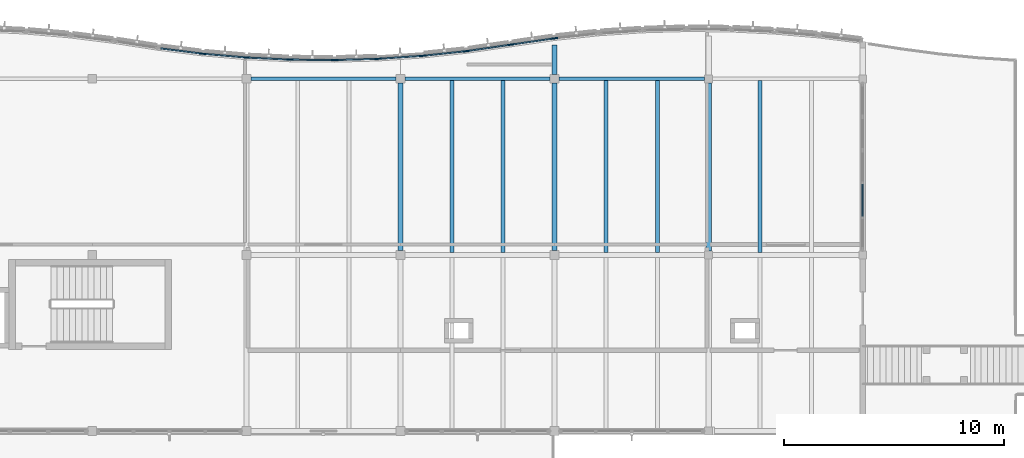
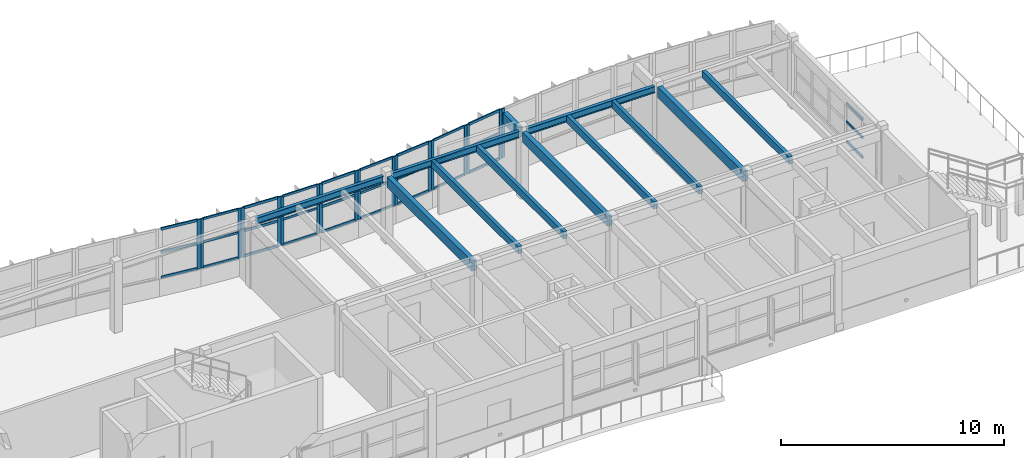
# One storey, part 19 of 52: 48 members, 12 beams, 11 elements without a shape of their own.
"""IFC4 building model written with IfcOpenShell, lengths in metres."""

from ifc_helpers import new_model, si_unit, direction, frame, origin, origin_2d, place, context, subcontext, project, spatial, rectangle, i_section, extrude, material, layer, layer_set, material_profile, profile_set, type_object, element, aggregate, save


model = new_model("IFC4")

# Units and contexts
model_context = context("Model", 3, precision=1e-05, world=origin(), true_north=direction((0.0, 1.0)))
body_context = subcontext(model_context, "Body", "Model", "MODEL_VIEW")
ifc_project = project(units=[si_unit("LENGTHUNIT", "METRE"), si_unit("AREAUNIT", "SQUARE_METRE"), si_unit("VOLUMEUNIT", "CUBIC_METRE"), si_unit("PLANEANGLEUNIT", "RADIAN"), si_unit("MASSUNIT", "GRAM", prefix="KILO")], contexts=[model_context])

# Site, building, storey
site_placement = place(None, origin())
site = spatial("IfcSite", under=ifc_project, at=site_placement, CompositionType="ELEMENT")
building_placement = place(site_placement, origin())
building = spatial("IfcBuilding", under=site, at=building_placement, Name="Tonlespit Floodbar School", CompositionType="ELEMENT")
storey_placement = place(building_placement, frame((0.0, 0.0, 12.300048828125)))
storey = spatial("IfcBuildingStorey", under=building, at=storey_placement, Name="L03", CompositionType="ELEMENT", Elevation=12.300048828125)

# Beams
ifc_material_1 = material(Name="Glulam GL28h", Category="wood")
ifc_material_profile_1 = material_profile(ifc_material_1, rectangle(XDim=0.239990234375, YDim=0.56005859375, at=origin_2d()), Name="GL 240x560")
ifc_profile_set_1 = profile_set([ifc_material_profile_1], Name="Glulam GL28h")
beam_type_1 = type_object("IfcBeamType", Name="Beam_GL_240x560", PredefinedType="BEAM", material=ifc_profile_set_1)
for number, where, z_axis, x_axis, name in (
    (1, (141.0, 112.199951171875, 3.364990234375), (0.0, 1.0, 0.0), (-1.0, 0.0, 0.0), "L03 girder 1237"),
    (2, (148.0, 112.199951171875, 3.364990234375), (0.0, 1.0, 0.0), (-1.0, 0.0, 0.0), "L03 girder 1239"),
):
    element("IfcBeam", number, at=place(storey_placement, frame(where, z_axis=z_axis, x_axis=x_axis)), inside=storey, type_object=beam_type_1, Name=name, PredefinedType="BEAM", context=body_context, shape_type="SweptSolid", body=[
        extrude(rectangle(XDim=0.239990234375, YDim=0.56005859375, at=origin_2d()), origin(), (0.0, 0.0, 1.0), 7.60009765625),
    ])
beam_1_placement = place(storey_placement, frame((155.0, 112.179931640625, 3.367919921875), z_axis=(0.0, 1.0, 0.0), x_axis=(-1.0, 0.0, 0.0)))
element("IfcBeam", 3, at=beam_1_placement, inside=storey, type_object=beam_type_1, Name="L03 girder 1241", PredefinedType="BEAM", context=body_context, shape_type="SweptSolid", body=[
    extrude(rectangle(XDim=0.239990234375, YDim=0.56005859375, at=origin_2d()), origin(), (0.0, 0.0, 1.0), 7.64013671875),
])
beam_2_placement = place(storey_placement, frame((148.0, 120.199951171875, 3.364990234375), z_axis=(0.0, 1.0, 0.0), x_axis=(-1.0, 0.0, 0.0)))
element("IfcBeam", 4, at=beam_2_placement, inside=storey, type_object=beam_type_1, Name="L03 north street wave cantilever bracket", PredefinedType="BEAM", context=body_context, shape_type="SweptSolid", body=[
    extrude(rectangle(XDim=0.239990234375, YDim=0.56005859375, at=origin_2d()), origin(), (0.0, 0.0, 1.0), 1.341552734375),
])

# Curtain wall, members
ifc_material_2 = material(Name="Anodised Aluminium", Category="aluminium")
ifc_layer_1 = layer(ifc_material_2, 0.159912109375)
ifc_layer_set_1 = layer_set([ifc_layer_1], Name="Anodised Aluminium")
curtain_wall_type_1 = type_object("IfcCurtainWallType", Name="CurtainWall_1950x2700", PredefinedType="NOTDEFINED", material=ifc_layer_set_1)
curtain_wall_1_placement = place(storey_placement, origin())
curtain_wall_1 = element("IfcCurtainWall", 5, at=curtain_wall_1_placement, inside=storey, type_object=curtain_wall_type_1, Name="L03 unitised curtain wall 0454", PredefinedType="NOTDEFINED")
ifc_material_profile_2 = material_profile(ifc_material_2, rectangle(XDim=0.06494140625, YDim=0.14990234375, at=origin_2d()), Name="ALU M65x150")
ifc_profile_set_2 = profile_set([ifc_material_profile_2], Name="Anodised Aluminium")
member_type_1 = type_object("IfcMemberType", Name="CW_Mullion_65x150", PredefinedType="MULLION", material=ifc_profile_set_2)
member_1_placement = place(storey_placement, frame((132.072265625, 121.135986328125, 0.949951171875), z_axis=(0.0, 0.0, 1.0), x_axis=(0.086531117454, 0.996249148412, 0.0)))
member_1 = element("IfcMember", 6, at=member_1_placement, type_object=member_type_1, Name="CW-04 mullion 1", PredefinedType="MULLION", context=body_context, shape_type="SweptSolid", body=[
    extrude(rectangle(XDim=0.06494140625, YDim=0.14990234375, at=origin_2d()), origin(), (0.0, 0.0, 1.0), 2.699951171875),
])
member_2_placement = place(storey_placement, frame((133.927734375, 120.974853515625, 0.949951171875), z_axis=(0.0, 0.0, 1.0), x_axis=(0.086531117454, 0.996249148412, 0.0)))
member_2 = element("IfcMember", 7, at=member_2_placement, type_object=member_type_1, Name="CW-04 mullion 2", PredefinedType="MULLION", context=body_context, shape_type="SweptSolid", body=[
    extrude(rectangle(XDim=0.06494140625, YDim=0.14990234375, at=origin_2d()), origin(), (0.0, 0.0, 1.0), 2.699951171875),
])

ifc_layer_2 = layer(ifc_material_2, 0.159912109375)
ifc_layer_set_2 = layer_set([ifc_layer_2], Name="Anodised Aluminium")
curtain_wall_type_2 = type_object("IfcCurtainWallType", Name="CurtainWall_1900x2700", PredefinedType="NOTDEFINED", material=ifc_layer_set_2)
curtain_wall_2_placement = place(storey_placement, origin())
curtain_wall_2 = element("IfcCurtainWall", 8, at=curtain_wall_2_placement, inside=storey, type_object=curtain_wall_type_2, Name="L03 unitised curtain wall 0456", PredefinedType="NOTDEFINED")
member_3_placement = place(storey_placement, frame((136.072509765625, 120.87158203125, 0.949951171875), z_axis=(0.0, 0.0, 1.0), x_axis=(0.009582893292, 0.999954083024, 0.0)))
member_3 = element("IfcMember", 9, at=member_3_placement, type_object=member_type_1, Name="CW-05 mullion 1", PredefinedType="MULLION", context=body_context, shape_type="SweptSolid", body=[
    extrude(rectangle(XDim=0.06494140625, YDim=0.14990234375, at=origin_2d()), origin(), (0.0, 0.0, 1.0), 2.699951171875),
])
member_4_placement = place(storey_placement, frame((137.927490234375, 120.853759765625, 0.949951171875), z_axis=(0.0, 0.0, 1.0), x_axis=(0.009582893292, 0.999954083024, 0.0)))
member_4 = element("IfcMember", 10, at=member_4_placement, type_object=member_type_1, Name="CW-05 mullion 2", PredefinedType="MULLION", context=body_context, shape_type="SweptSolid", body=[
    extrude(rectangle(XDim=0.06494140625, YDim=0.14990234375, at=origin_2d()), origin(), (0.0, 0.0, 1.0), 2.699951171875),
])

curtain_wall_3_placement = place(storey_placement, origin())
curtain_wall_3 = element("IfcCurtainWall", 11, at=curtain_wall_3_placement, inside=storey, type_object=curtain_wall_type_2, Name="L03 unitised curtain wall 0458", PredefinedType="NOTDEFINED")
member_5_placement = place(storey_placement, frame((140.072265625, 120.91552734375, 0.949951171875), z_axis=(0.0, 0.0, 1.0), x_axis=(-0.067339767311, 0.99773010165, 0.0)))
member_5 = element("IfcMember", 12, at=member_5_placement, type_object=member_type_1, Name="CW-05 mullion 1", PredefinedType="MULLION", context=body_context, shape_type="SweptSolid", body=[
    extrude(rectangle(XDim=0.06494140625, YDim=0.14990234375, at=origin_2d()), origin(), (0.0, 0.0, 1.0), 2.699951171875),
])
member_6_placement = place(storey_placement, frame((141.927734375, 121.040771484375, 0.949951171875), z_axis=(0.0, 0.0, 1.0), x_axis=(-0.067339767311, 0.99773010165, 0.0)))
member_6 = element("IfcMember", 13, at=member_6_placement, type_object=member_type_1, Name="CW-05 mullion 2", PredefinedType="MULLION", context=body_context, shape_type="SweptSolid", body=[
    extrude(rectangle(XDim=0.06494140625, YDim=0.14990234375, at=origin_2d()), origin(), (0.0, 0.0, 1.0), 2.699951171875),
])

curtain_wall_4_placement = place(storey_placement, origin())
curtain_wall_4 = element("IfcCurtainWall", 14, at=curtain_wall_4_placement, inside=storey, type_object=curtain_wall_type_1, Name="L03 unitised curtain wall 0460", PredefinedType="NOTDEFINED")
member_7_placement = place(storey_placement, frame((144.07177734375, 121.268798828125, 0.949951171875), z_axis=(0.0, 0.0, 1.0), x_axis=(-0.144248041079, 0.989541561858, 0.0)))
member_7 = element("IfcMember", 15, at=member_7_placement, type_object=member_type_1, Name="CW-04 mullion 1", PredefinedType="MULLION", context=body_context, shape_type="SweptSolid", body=[
    extrude(rectangle(XDim=0.06494140625, YDim=0.14990234375, at=origin_2d()), origin(), (0.0, 0.0, 1.0), 2.699951171875),
])
member_8_placement = place(storey_placement, frame((145.92822265625, 121.53955078125, 0.949951171875), z_axis=(0.0, 0.0, 1.0), x_axis=(-0.144248041079, 0.989541561858, 0.0)))
member_8 = element("IfcMember", 16, at=member_8_placement, type_object=member_type_1, Name="CW-04 mullion 2", PredefinedType="MULLION", context=body_context, shape_type="SweptSolid", body=[
    extrude(rectangle(XDim=0.06494140625, YDim=0.14990234375, at=origin_2d()), origin(), (0.0, 0.0, 1.0), 2.699951171875),
])

# Curtain wall, member
curtain_wall_5_placement = place(storey_placement, origin())
curtain_wall_5 = element("IfcCurtainWall", 17, at=curtain_wall_5_placement, inside=storey, type_object=curtain_wall_type_1, Name="L03 unitised curtain wall 0462", PredefinedType="NOTDEFINED")
member_9_placement = place(storey_placement, frame((148.072021484375, 121.84912109375, 0.949951171875), z_axis=(0.0, 0.0, 1.0), x_axis=(-0.105787143968, 0.994388797288, 0.0)))
member_9 = element("IfcMember", 18, at=member_9_placement, type_object=member_type_1, Name="CW-04 mullion 1", PredefinedType="MULLION", context=body_context, shape_type="SweptSolid", body=[
    extrude(rectangle(XDim=0.06494140625, YDim=0.14990234375, at=origin_2d()), origin(), (0.0, 0.0, 1.0), 2.699951171875),
])
aggregate(curtain_wall_5, [member_9])

curtain_wall_6_placement = place(storey_placement, origin())
curtain_wall_6 = element("IfcCurtainWall", 19, at=curtain_wall_6_placement, inside=storey, type_object=curtain_wall_type_1, Name="L03 unitised curtain wall 0453", PredefinedType="NOTDEFINED")
ifc_material_profile_3 = material_profile(ifc_material_2, rectangle(XDim=0.06494140625, YDim=0.179931640625, at=origin_2d()), Name="ALU M65x180")
ifc_profile_set_3 = profile_set([ifc_material_profile_3], Name="Anodised Aluminium")
member_type_2 = type_object("IfcMemberType", Name="CW_Mullion_65x180", PredefinedType="MULLION", material=ifc_profile_set_3)
member_10_placement = place(storey_placement, frame((131.927978515625, 121.1513671875, 0.949951171875), z_axis=(0.0, 0.0, 1.0), x_axis=(0.125013803299, 0.992155002499, 0.0)))
member_10 = element("IfcMember", 20, at=member_10_placement, type_object=member_type_2, Name="CW-04 mullion 2", PredefinedType="MULLION", context=body_context, shape_type="SweptSolid", body=[
    extrude(rectangle(XDim=0.06494140625, YDim=0.179931640625, at=origin_2d()), origin(), (0.0, 0.0, 1.0), 2.699951171875),
])

# Curtain wall, members
curtain_wall_7_placement = place(storey_placement, origin())
curtain_wall_7 = element("IfcCurtainWall", 21, at=curtain_wall_7_placement, inside=storey, type_object=curtain_wall_type_2, Name="L03 unitised curtain wall 0455", PredefinedType="NOTDEFINED")
member_11_placement = place(storey_placement, frame((134.072509765625, 120.965087890625, 0.949951171875), z_axis=(0.0, 0.0, 1.0), x_axis=(0.048121270216, 0.998841500616, 0.0)))
member_11 = element("IfcMember", 22, at=member_11_placement, type_object=member_type_2, Name="CW-05 mullion 1", PredefinedType="MULLION", context=body_context, shape_type="SweptSolid", body=[
    extrude(rectangle(XDim=0.06494140625, YDim=0.179931640625, at=origin_2d()), origin(), (0.0, 0.0, 1.0), 2.699951171875),
])
member_12_placement = place(storey_placement, frame((135.927490234375, 120.875732421875, 0.949951171875), z_axis=(0.0, 0.0, 1.0), x_axis=(0.048121270216, 0.998841500616, 0.0)))
member_12 = element("IfcMember", 23, at=member_12_placement, type_object=member_type_2, Name="CW-05 mullion 2", PredefinedType="MULLION", context=body_context, shape_type="SweptSolid", body=[
    extrude(rectangle(XDim=0.06494140625, YDim=0.179931640625, at=origin_2d()), origin(), (0.0, 0.0, 1.0), 2.699951171875),
])

curtain_wall_8_placement = place(storey_placement, origin())
curtain_wall_8 = element("IfcCurtainWall", 24, at=curtain_wall_8_placement, inside=storey, type_object=curtain_wall_type_2, Name="L03 unitised curtain wall 0457", PredefinedType="NOTDEFINED")
member_13_placement = place(storey_placement, frame((138.072509765625, 120.855224609375, 0.949951171875), z_axis=(0.0, 0.0, 1.0), x_axis=(-0.028790144226, 0.999585477883, 0.0)))
member_13 = element("IfcMember", 25, at=member_13_placement, type_object=member_type_2, Name="CW-05 mullion 1", PredefinedType="MULLION", context=body_context, shape_type="SweptSolid", body=[
    extrude(rectangle(XDim=0.06494140625, YDim=0.179931640625, at=origin_2d()), origin(), (0.0, 0.0, 1.0), 2.699951171875),
])
member_14_placement = place(storey_placement, frame((139.927490234375, 120.908447265625, 0.949951171875), z_axis=(0.0, 0.0, 1.0), x_axis=(-0.028790144226, 0.999585477883, 0.0)))
member_14 = element("IfcMember", 26, at=member_14_placement, type_object=member_type_2, Name="CW-05 mullion 2", PredefinedType="MULLION", context=body_context, shape_type="SweptSolid", body=[
    extrude(rectangle(XDim=0.06494140625, YDim=0.179931640625, at=origin_2d()), origin(), (0.0, 0.0, 1.0), 2.699951171875),
])

curtain_wall_9_placement = place(storey_placement, origin())
curtain_wall_9 = element("IfcCurtainWall", 27, at=curtain_wall_9_placement, inside=storey, type_object=curtain_wall_type_1, Name="L03 unitised curtain wall 0459", PredefinedType="NOTDEFINED")
member_15_placement = place(storey_placement, frame((142.072021484375, 121.05322265625, 0.949951171875), z_axis=(0.0, 0.0, 1.0), x_axis=(-0.105787143968, 0.994388797288, 0.0)))
member_15 = element("IfcMember", 28, at=member_15_placement, type_object=member_type_2, Name="CW-04 mullion 1", PredefinedType="MULLION", context=body_context, shape_type="SweptSolid", body=[
    extrude(rectangle(XDim=0.06494140625, YDim=0.179931640625, at=origin_2d()), origin(), (0.0, 0.0, 1.0), 2.699951171875),
])
member_16_placement = place(storey_placement, frame((143.927978515625, 121.250732421875, 0.949951171875), z_axis=(0.0, 0.0, 1.0), x_axis=(-0.105787143968, 0.994388797288, 0.0)))
member_16 = element("IfcMember", 29, at=member_16_placement, type_object=member_type_2, Name="CW-04 mullion 2", PredefinedType="MULLION", context=body_context, shape_type="SweptSolid", body=[
    extrude(rectangle(XDim=0.06494140625, YDim=0.179931640625, at=origin_2d()), origin(), (0.0, 0.0, 1.0), 2.699951171875),
])

curtain_wall_10_placement = place(storey_placement, origin())
curtain_wall_10 = element("IfcCurtainWall", 30, at=curtain_wall_10_placement, inside=storey, type_object=curtain_wall_type_1, Name="L03 unitised curtain wall 0461", PredefinedType="NOTDEFINED")
member_17_placement = place(storey_placement, frame((146.07177734375, 121.560546875, 0.949951171875), z_axis=(0.0, 0.0, 1.0), x_axis=(-0.144248041079, 0.989541561858, 0.0)))
member_17 = element("IfcMember", 31, at=member_17_placement, type_object=member_type_2, Name="CW-04 mullion 1", PredefinedType="MULLION", context=body_context, shape_type="SweptSolid", body=[
    extrude(rectangle(XDim=0.06494140625, YDim=0.179931640625, at=origin_2d()), origin(), (0.0, 0.0, 1.0), 2.699951171875),
])
member_18_placement = place(storey_placement, frame((147.92822265625, 121.8310546875, 0.949951171875), z_axis=(0.0, 0.0, 1.0), x_axis=(-0.144248041079, 0.989541561858, 0.0)))
member_18 = element("IfcMember", 32, at=member_18_placement, type_object=member_type_2, Name="CW-04 mullion 2", PredefinedType="MULLION", context=body_context, shape_type="SweptSolid", body=[
    extrude(rectangle(XDim=0.06494140625, YDim=0.179931640625, at=origin_2d()), origin(), (0.0, 0.0, 1.0), 2.699951171875),
])

# Member
ifc_material_profile_4 = material_profile(ifc_material_2, rectangle(XDim=0.06494140625, YDim=0.1201171875, at=origin_2d()), Name="ALU T65x120")
ifc_profile_set_4 = profile_set([ifc_material_profile_4], Name="Anodised Aluminium")
member_type_3 = type_object("IfcMemberType", Name="CW_Transom_65x120", PredefinedType="USERDEFINED", material=ifc_profile_set_4)
member_19_placement = place(storey_placement, frame((132.1044921875, 121.133056640625, 0.982421875), z_axis=(0.996251281774, -0.086506552139, 0.0), x_axis=(0.086506552139, 0.996251281774, 0.0)))
member_19 = element("IfcMember", 33, at=member_19_placement, type_object=member_type_3, Name="CW-04 transom 1.1", ObjectType="TRANSOM", PredefinedType="USERDEFINED", context=body_context, shape_type="SweptSolid", body=[
    extrude(rectangle(XDim=0.06494140625, YDim=0.1201171875, at=origin_2d()), origin(), (0.0, 0.0, 1.0), 1.7978515625),
])

member_20_placement = place(storey_placement, frame((132.1044921875, 121.133056640625, 2.35400390625), z_axis=(0.996251281774, -0.086506552139, 0.0), x_axis=(0.086506552139, 0.996251281774, 0.0)))
member_20 = element("IfcMember", 34, at=member_20_placement, type_object=member_type_3, Name="CW-04 transom 1.2", ObjectType="TRANSOM", PredefinedType="USERDEFINED", context=body_context, shape_type="SweptSolid", body=[
    extrude(rectangle(XDim=0.06494140625, YDim=0.1201171875, at=origin_2d()), origin(), (0.0, 0.0, 1.0), 1.7978515625),
])

member_21_placement = place(storey_placement, frame((132.1044921875, 121.133056640625, 3.617431640625), z_axis=(0.996251281774, -0.086506552139, 0.0), x_axis=(0.086506552139, 0.996251281774, 0.0)))
member_21 = element("IfcMember", 35, at=member_21_placement, type_object=member_type_3, Name="CW-04 transom 1.3", ObjectType="TRANSOM", PredefinedType="USERDEFINED", context=body_context, shape_type="SweptSolid", body=[
    extrude(rectangle(XDim=0.06494140625, YDim=0.1201171875, at=origin_2d()), origin(), (0.0, 0.0, 1.0), 1.7978515625),
])

aggregate(curtain_wall_1, [member_1, member_2, member_19, member_20, member_21])

member_22_placement = place(storey_placement, frame((136.10498046875, 120.87109375, 0.982421875), z_axis=(0.999954428693, -0.00954675532, 0.0), x_axis=(0.00954675532, 0.999954428693, 0.0)))
member_22 = element("IfcMember", 36, at=member_22_placement, type_object=member_type_3, Name="CW-05 transom 1.1", ObjectType="TRANSOM", PredefinedType="USERDEFINED", context=body_context, shape_type="SweptSolid", body=[
    extrude(rectangle(XDim=0.06494140625, YDim=0.1201171875, at=origin_2d()), origin(), (0.0, 0.0, 1.0), 1.7900390625),
])

member_23_placement = place(storey_placement, frame((136.10498046875, 120.87109375, 2.35400390625), z_axis=(0.999954428693, -0.00954675532, 0.0), x_axis=(0.00954675532, 0.999954428693, 0.0)))
member_23 = element("IfcMember", 37, at=member_23_placement, type_object=member_type_3, Name="CW-05 transom 1.2", ObjectType="TRANSOM", PredefinedType="USERDEFINED", context=body_context, shape_type="SweptSolid", body=[
    extrude(rectangle(XDim=0.06494140625, YDim=0.1201171875, at=origin_2d()), origin(), (0.0, 0.0, 1.0), 1.7900390625),
])

member_24_placement = place(storey_placement, frame((136.10498046875, 120.87109375, 3.617431640625), z_axis=(0.999954428693, -0.00954675532, 0.0), x_axis=(0.00954675532, 0.999954428693, 0.0)))
member_24 = element("IfcMember", 38, at=member_24_placement, type_object=member_type_3, Name="CW-05 transom 1.3", ObjectType="TRANSOM", PredefinedType="USERDEFINED", context=body_context, shape_type="SweptSolid", body=[
    extrude(rectangle(XDim=0.06494140625, YDim=0.1201171875, at=origin_2d()), origin(), (0.0, 0.0, 1.0), 1.7900390625),
])

aggregate(curtain_wall_2, [member_3, member_4, member_22, member_23, member_24])

member_25_placement = place(storey_placement, frame((140.104736328125, 120.917724609375, 0.982421875), z_axis=(0.997730041674, 0.067340655935, 0.0), x_axis=(-0.067340655935, 0.997730041674, 0.0)))
member_25 = element("IfcMember", 39, at=member_25_placement, type_object=member_type_3, Name="CW-05 transom 1.1", ObjectType="TRANSOM", PredefinedType="USERDEFINED", context=body_context, shape_type="SweptSolid", body=[
    extrude(rectangle(XDim=0.06494140625, YDim=0.1201171875, at=origin_2d()), origin(), (0.0, 0.0, 1.0), 1.794677734375),
])

member_26_placement = place(storey_placement, frame((140.104736328125, 120.917724609375, 2.35400390625), z_axis=(0.997730041674, 0.067340655935, 0.0), x_axis=(-0.067340655935, 0.997730041674, 0.0)))
member_26 = element("IfcMember", 40, at=member_26_placement, type_object=member_type_3, Name="CW-05 transom 1.2", ObjectType="TRANSOM", PredefinedType="USERDEFINED", context=body_context, shape_type="SweptSolid", body=[
    extrude(rectangle(XDim=0.06494140625, YDim=0.1201171875, at=origin_2d()), origin(), (0.0, 0.0, 1.0), 1.794677734375),
])

member_27_placement = place(storey_placement, frame((140.104736328125, 120.917724609375, 3.617431640625), z_axis=(0.997730041674, 0.067340655935, 0.0), x_axis=(-0.067340655935, 0.997730041674, 0.0)))
member_27 = element("IfcMember", 41, at=member_27_placement, type_object=member_type_3, Name="CW-05 transom 1.3", ObjectType="TRANSOM", PredefinedType="USERDEFINED", context=body_context, shape_type="SweptSolid", body=[
    extrude(rectangle(XDim=0.06494140625, YDim=0.1201171875, at=origin_2d()), origin(), (0.0, 0.0, 1.0), 1.794677734375),
])

aggregate(curtain_wall_3, [member_5, member_6, member_25, member_26, member_27])

member_28_placement = place(storey_placement, frame((144.10400390625, 121.273681640625, 0.982421875), z_axis=(0.989541000818, 0.144251889765, 0.0), x_axis=(-0.144251889765, 0.989541000818, 0.0)))
member_28 = element("IfcMember", 42, at=member_28_placement, type_object=member_type_3, Name="CW-04 transom 1.1", ObjectType="TRANSOM", PredefinedType="USERDEFINED", context=body_context, shape_type="SweptSolid", body=[
    extrude(rectangle(XDim=0.06494140625, YDim=0.1201171875, at=origin_2d()), origin(), (0.0, 0.0, 1.0), 1.81103515625),
])

member_29_placement = place(storey_placement, frame((144.10400390625, 121.273681640625, 2.35400390625), z_axis=(0.989541000818, 0.144251889765, 0.0), x_axis=(-0.144251889765, 0.989541000818, 0.0)))
member_29 = element("IfcMember", 43, at=member_29_placement, type_object=member_type_3, Name="CW-04 transom 1.2", ObjectType="TRANSOM", PredefinedType="USERDEFINED", context=body_context, shape_type="SweptSolid", body=[
    extrude(rectangle(XDim=0.06494140625, YDim=0.1201171875, at=origin_2d()), origin(), (0.0, 0.0, 1.0), 1.81103515625),
])

member_30_placement = place(storey_placement, frame((144.10400390625, 121.273681640625, 3.617431640625), z_axis=(0.989541000818, 0.144251889765, 0.0), x_axis=(-0.144251889765, 0.989541000818, 0.0)))
member_30 = element("IfcMember", 44, at=member_30_placement, type_object=member_type_3, Name="CW-04 transom 1.3", ObjectType="TRANSOM", PredefinedType="USERDEFINED", context=body_context, shape_type="SweptSolid", body=[
    extrude(rectangle(XDim=0.06494140625, YDim=0.1201171875, at=origin_2d()), origin(), (0.0, 0.0, 1.0), 1.81103515625),
])

aggregate(curtain_wall_4, [member_7, member_8, member_28, member_29, member_30])

ifc_material_profile_5 = material_profile(ifc_material_2, rectangle(XDim=0.06494140625, YDim=0.139892578125, at=origin_2d()), Name="ALU T65x140")
ifc_profile_set_5 = profile_set([ifc_material_profile_5], Name="Anodised Aluminium")
member_type_4 = type_object("IfcMemberType", Name="CW_Transom_65x140", PredefinedType="USERDEFINED", material=ifc_profile_set_5)
member_31_placement = place(storey_placement, frame((130.104248046875, 121.381103515625, 0.982421875), z_axis=(0.992165142165, -0.124933304901, 0.0), x_axis=(0.124933304901, 0.992165142165, 0.0)))
member_31 = element("IfcMember", 45, at=member_31_placement, type_object=member_type_4, Name="CW-04 transom 1.1", ObjectType="TRANSOM", PredefinedType="USERDEFINED", context=body_context, shape_type="SweptSolid", body=[
    extrude(rectangle(XDim=0.06494140625, YDim=0.139892578125, at=origin_2d()), origin(), (0.0, 0.0, 1.0), 1.8056640625),
])

member_32_placement = place(storey_placement, frame((130.104248046875, 121.381103515625, 2.35400390625), z_axis=(0.992165142165, -0.124933304901, 0.0), x_axis=(0.124933304901, 0.992165142165, 0.0)))
member_32 = element("IfcMember", 46, at=member_32_placement, type_object=member_type_4, Name="CW-04 transom 1.2", ObjectType="TRANSOM", PredefinedType="USERDEFINED", context=body_context, shape_type="SweptSolid", body=[
    extrude(rectangle(XDim=0.06494140625, YDim=0.139892578125, at=origin_2d()), origin(), (0.0, 0.0, 1.0), 1.8056640625),
])

member_33_placement = place(storey_placement, frame((130.104248046875, 121.381103515625, 3.617431640625), z_axis=(0.992165142165, -0.124933304901, 0.0), x_axis=(0.124933304901, 0.992165142165, 0.0)))
member_33 = element("IfcMember", 47, at=member_33_placement, type_object=member_type_4, Name="CW-04 transom 1.3", ObjectType="TRANSOM", PredefinedType="USERDEFINED", context=body_context, shape_type="SweptSolid", body=[
    extrude(rectangle(XDim=0.06494140625, YDim=0.139892578125, at=origin_2d()), origin(), (0.0, 0.0, 1.0), 1.8056640625),
])

aggregate(curtain_wall_6, [member_10, member_31, member_32, member_33])

member_34_placement = place(storey_placement, frame((134.10498046875, 120.96337890625, 0.982421875), z_axis=(0.998843034795, -0.048089415069, 0.0), x_axis=(0.048089415069, 0.998843034795, 0.0)))
member_34 = element("IfcMember", 48, at=member_34_placement, type_object=member_type_4, Name="CW-05 transom 1.1", ObjectType="TRANSOM", PredefinedType="USERDEFINED", context=body_context, shape_type="SweptSolid", body=[
    extrude(rectangle(XDim=0.06494140625, YDim=0.139892578125, at=origin_2d()), origin(), (0.0, 0.0, 1.0), 1.7919921875),
])

member_35_placement = place(storey_placement, frame((134.10498046875, 120.96337890625, 2.35400390625), z_axis=(0.998843034795, -0.048089415069, 0.0), x_axis=(0.048089415069, 0.998843034795, 0.0)))
member_35 = element("IfcMember", 49, at=member_35_placement, type_object=member_type_4, Name="CW-05 transom 1.2", ObjectType="TRANSOM", PredefinedType="USERDEFINED", context=body_context, shape_type="SweptSolid", body=[
    extrude(rectangle(XDim=0.06494140625, YDim=0.139892578125, at=origin_2d()), origin(), (0.0, 0.0, 1.0), 1.7919921875),
])

member_36_placement = place(storey_placement, frame((134.10498046875, 120.96337890625, 3.617431640625), z_axis=(0.998843034795, -0.048089415069, 0.0), x_axis=(0.048089415069, 0.998843034795, 0.0)))
member_36 = element("IfcMember", 50, at=member_36_placement, type_object=member_type_4, Name="CW-05 transom 1.3", ObjectType="TRANSOM", PredefinedType="USERDEFINED", context=body_context, shape_type="SweptSolid", body=[
    extrude(rectangle(XDim=0.06494140625, YDim=0.139892578125, at=origin_2d()), origin(), (0.0, 0.0, 1.0), 1.7919921875),
])

aggregate(curtain_wall_7, [member_11, member_12, member_34, member_35, member_36])

member_37_placement = place(storey_placement, frame((138.10498046875, 120.85595703125, 0.982421875), z_axis=(0.999582242166, 0.028902268868, 0.0), x_axis=(-0.028902268868, 0.999582242166, 0.0)))
member_37 = element("IfcMember", 51, at=member_37_placement, type_object=member_type_4, Name="CW-05 transom 1.1", ObjectType="TRANSOM", PredefinedType="USERDEFINED", context=body_context, shape_type="SweptSolid", body=[
    extrude(rectangle(XDim=0.06494140625, YDim=0.139892578125, at=origin_2d()), origin(), (0.0, 0.0, 1.0), 1.790771484375),
])

member_38_placement = place(storey_placement, frame((138.10498046875, 120.85595703125, 2.35400390625), z_axis=(0.999582242166, 0.028902268868, 0.0), x_axis=(-0.028902268868, 0.999582242166, 0.0)))
member_38 = element("IfcMember", 52, at=member_38_placement, type_object=member_type_4, Name="CW-05 transom 1.2", ObjectType="TRANSOM", PredefinedType="USERDEFINED", context=body_context, shape_type="SweptSolid", body=[
    extrude(rectangle(XDim=0.06494140625, YDim=0.139892578125, at=origin_2d()), origin(), (0.0, 0.0, 1.0), 1.790771484375),
])

member_39_placement = place(storey_placement, frame((138.10498046875, 120.85595703125, 3.617431640625), z_axis=(0.999582242166, 0.028902268868, 0.0), x_axis=(-0.028902268868, 0.999582242166, 0.0)))
member_39 = element("IfcMember", 53, at=member_39_placement, type_object=member_type_4, Name="CW-05 transom 1.3", ObjectType="TRANSOM", PredefinedType="USERDEFINED", context=body_context, shape_type="SweptSolid", body=[
    extrude(rectangle(XDim=0.06494140625, YDim=0.139892578125, at=origin_2d()), origin(), (0.0, 0.0, 1.0), 1.790771484375),
])

aggregate(curtain_wall_8, [member_13, member_14, member_37, member_38, member_39])

member_40_placement = place(storey_placement, frame((142.1044921875, 121.056884765625, 0.982421875), z_axis=(0.994394979136, 0.105729019047, 0.0), x_axis=(-0.105729019047, 0.994394979136, 0.0)))
member_40 = element("IfcMember", 54, at=member_40_placement, type_object=member_type_4, Name="CW-04 transom 1.1", ObjectType="TRANSOM", PredefinedType="USERDEFINED", context=body_context, shape_type="SweptSolid", body=[
    extrude(rectangle(XDim=0.06494140625, YDim=0.139892578125, at=origin_2d()), origin(), (0.0, 0.0, 1.0), 1.801025390625),
])

member_41_placement = place(storey_placement, frame((142.1044921875, 121.056884765625, 2.35400390625), z_axis=(0.994394979136, 0.105729019047, 0.0), x_axis=(-0.105729019047, 0.994394979136, 0.0)))
member_41 = element("IfcMember", 55, at=member_41_placement, type_object=member_type_4, Name="CW-04 transom 1.2", ObjectType="TRANSOM", PredefinedType="USERDEFINED", context=body_context, shape_type="SweptSolid", body=[
    extrude(rectangle(XDim=0.06494140625, YDim=0.139892578125, at=origin_2d()), origin(), (0.0, 0.0, 1.0), 1.801025390625),
])

member_42_placement = place(storey_placement, frame((142.1044921875, 121.056884765625, 3.617431640625), z_axis=(0.994394979136, 0.105729019047, 0.0), x_axis=(-0.105729019047, 0.994394979136, 0.0)))
member_42 = element("IfcMember", 56, at=member_42_placement, type_object=member_type_4, Name="CW-04 transom 1.3", ObjectType="TRANSOM", PredefinedType="USERDEFINED", context=body_context, shape_type="SweptSolid", body=[
    extrude(rectangle(XDim=0.06494140625, YDim=0.139892578125, at=origin_2d()), origin(), (0.0, 0.0, 1.0), 1.801025390625),
])

aggregate(curtain_wall_9, [member_15, member_16, member_40, member_41, member_42])

member_43_placement = place(storey_placement, frame((146.10400390625, 121.565185546875, 0.982421875), z_axis=(0.989541000818, 0.144251889765, 0.0), x_axis=(-0.144251889765, 0.989541000818, 0.0)))
member_43 = element("IfcMember", 57, at=member_43_placement, type_object=member_type_4, Name="CW-04 transom 1.1", ObjectType="TRANSOM", PredefinedType="USERDEFINED", context=body_context, shape_type="SweptSolid", body=[
    extrude(rectangle(XDim=0.06494140625, YDim=0.139892578125, at=origin_2d()), origin(), (0.0, 0.0, 1.0), 1.81103515625),
])

member_44_placement = place(storey_placement, frame((146.10400390625, 121.565185546875, 2.35400390625), z_axis=(0.989541000818, 0.144251889765, 0.0), x_axis=(-0.144251889765, 0.989541000818, 0.0)))
member_44 = element("IfcMember", 58, at=member_44_placement, type_object=member_type_4, Name="CW-04 transom 1.2", ObjectType="TRANSOM", PredefinedType="USERDEFINED", context=body_context, shape_type="SweptSolid", body=[
    extrude(rectangle(XDim=0.06494140625, YDim=0.139892578125, at=origin_2d()), origin(), (0.0, 0.0, 1.0), 1.81103515625),
])

member_45_placement = place(storey_placement, frame((146.10400390625, 121.565185546875, 3.617431640625), z_axis=(0.989541000818, 0.144251889765, 0.0), x_axis=(-0.144251889765, 0.989541000818, 0.0)))
member_45 = element("IfcMember", 59, at=member_45_placement, type_object=member_type_4, Name="CW-04 transom 1.3", ObjectType="TRANSOM", PredefinedType="USERDEFINED", context=body_context, shape_type="SweptSolid", body=[
    extrude(rectangle(XDim=0.06494140625, YDim=0.139892578125, at=origin_2d()), origin(), (0.0, 0.0, 1.0), 1.81103515625),
])

aggregate(curtain_wall_10, [member_17, member_18, member_43, member_44, member_45])

# Curtain wall, members
ifc_layer_3 = layer(ifc_material_2, 0.159912109375)
ifc_layer_set_3 = layer_set([ifc_layer_3], Name="Anodised Aluminium")
curtain_wall_type_3 = type_object("IfcCurtainWallType", Name="CurtainWall_7550x2150", PredefinedType="NOTDEFINED", material=ifc_layer_set_3)
curtain_wall_11_placement = place(storey_placement, origin())
curtain_wall_11 = element("IfcCurtainWall", 60, at=curtain_wall_11_placement, inside=storey, type_object=curtain_wall_type_3, Name="L03 unitised curtain wall 0469", PredefinedType="NOTDEFINED")
member_46_placement = place(storey_placement, frame((162.0, 115.21142578125, 0.982421875), z_axis=(0.0, -1.0, 0.0), x_axis=(1.0, 0.0, 0.0)))
member_46 = element("IfcMember", 61, at=member_46_placement, type_object=member_type_4, Name="CW-37 transom 4.1", ObjectType="TRANSOM", PredefinedType="USERDEFINED", context=body_context, shape_type="SweptSolid", body=[
    extrude(rectangle(XDim=0.06494140625, YDim=0.139892578125, at=origin_2d()), origin(), (0.0, 0.0, 1.0), 1.447021484375),
])
member_47_placement = place(storey_placement, frame((162.0, 115.21142578125, 2.061767578125), z_axis=(0.0, -1.0, 0.0), x_axis=(1.0, 0.0, 0.0)))
member_47 = element("IfcMember", 62, at=member_47_placement, type_object=member_type_4, Name="CW-37 transom 4.2", ObjectType="TRANSOM", PredefinedType="USERDEFINED", context=body_context, shape_type="SweptSolid", body=[
    extrude(rectangle(XDim=0.06494140625, YDim=0.139892578125, at=origin_2d()), origin(), (0.0, 0.0, 1.0), 1.447021484375),
])
member_48_placement = place(storey_placement, frame((162.0, 115.21142578125, 3.055419921875), z_axis=(0.0, -1.0, 0.0), x_axis=(1.0, 0.0, 0.0)))
member_48 = element("IfcMember", 63, at=member_48_placement, type_object=member_type_4, Name="CW-37 transom 4.3", ObjectType="TRANSOM", PredefinedType="USERDEFINED", context=body_context, shape_type="SweptSolid", body=[
    extrude(rectangle(XDim=0.06494140625, YDim=0.139892578125, at=origin_2d()), origin(), (0.0, 0.0, 1.0), 1.447021484375),
])
aggregate(curtain_wall_11, [member_46, member_47, member_48])

# Beams
ifc_material_profile_6 = material_profile(ifc_material_1, rectangle(XDim=0.179931640625, YDim=0.39990234375, at=origin_2d()), Name="GL 180x400")
ifc_profile_set_6 = profile_set([ifc_material_profile_6], Name="Glulam GL28h")
beam_type_2 = type_object("IfcBeamType", Name="Joist_GL_180x400", PredefinedType="JOIST", material=ifc_profile_set_6)
for number, where, z_axis, x_axis, name in (
    (64, (143.333251953125, 112.1201171875, 3.445068359375), (0.0, 1.0, 0.0), (-1.0, 0.0, 0.0), "L03 secondary joist 1273"),
    (65, (145.666748046875, 112.1201171875, 3.445068359375), (0.0, 1.0, 0.0), (-1.0, 0.0, 0.0), "L03 secondary joist 1274"),
    (66, (150.333251953125, 112.1201171875, 3.447998046875), (0.0, 1.0, 0.0), (-1.0, 0.0, 0.0), "L03 secondary joist 1275"),
    (67, (152.666748046875, 112.1201171875, 3.447998046875), (0.0, 1.0, 0.0), (-1.0, 0.0, 0.0), "L03 secondary joist 1276"),
    (68, (157.333251953125, 112.1201171875, 3.447998046875), (0.0, 1.0, 0.0), (-1.0, 0.0, 0.0), "L03 secondary joist 1277"),
):
    element("IfcBeam", number, at=place(storey_placement, frame(where, z_axis=z_axis, x_axis=x_axis)), inside=storey, type_object=beam_type_2, Name=name, PredefinedType="JOIST", context=body_context, shape_type="SweptSolid", body=[
        extrude(rectangle(XDim=0.179931640625, YDim=0.39990234375, at=origin_2d()), origin(), (0.0, 0.0, 1.0), 7.794921875),
    ])
ifc_material_3 = material(Name="Steel S355", Category="steel")
ifc_material_profile_7 = material_profile(ifc_material_3, i_section(OverallWidth=0.169921875, OverallDepth=0.360107421875, WebThickness=0.008056640625, FlangeThickness=0.0126953125, at=origin_2d()), Name="IPE 360")
ifc_profile_set_7 = profile_set([ifc_material_profile_7], Name="Steel S355")
beam_type_3 = type_object("IfcBeamType", Name="Spandrel_STL_IPE360", PredefinedType="SPANDREL", material=ifc_profile_set_7)
for number, where, z_axis, x_axis, name in (
    (69, (134.199951171875, 120.0, 3.46484375), (1.0, 0.0, 0.0), (0.0, 1.0, 0.0), "L03 girder 1199"),
    (70, (141.199951171875, 120.0, 3.46484375), (1.0, 0.0, 0.0), (0.0, 1.0, 0.0), "L03 girder 1200"),
):
    element("IfcBeam", number, at=place(storey_placement, frame(where, z_axis=z_axis, x_axis=x_axis)), inside=storey, type_object=beam_type_3, Name=name, PredefinedType="SPANDREL", context=body_context, shape_type="SweptSolid", body=[
        extrude(i_section(OverallWidth=0.169921875, OverallDepth=0.360107421875, WebThickness=0.008056640625, FlangeThickness=0.0126953125, at=origin_2d()), origin(), (0.0, 0.0, 1.0), 6.60009765625),
    ])
beam_3_placement = place(storey_placement, frame((148.199951171875, 120.0, 3.468017578125), z_axis=(1.0, 0.0, 0.0), x_axis=(0.0, 1.0, 0.0)))
element("IfcBeam", 71, at=beam_3_placement, inside=storey, type_object=beam_type_3, Name="L03 girder 1201", PredefinedType="SPANDREL", context=body_context, shape_type="SweptSolid", body=[
    extrude(i_section(OverallWidth=0.169921875, OverallDepth=0.360107421875, WebThickness=0.008056640625, FlangeThickness=0.0126953125, at=origin_2d()), origin(), (0.0, 0.0, 1.0), 6.6201171875),
])

save(model, "model.ifc")
